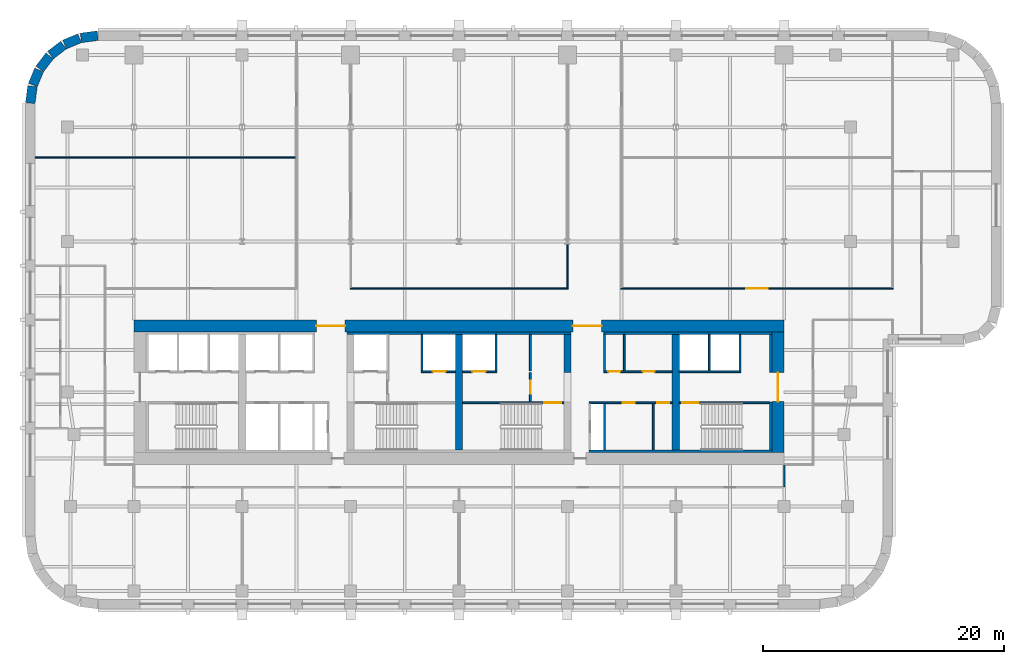
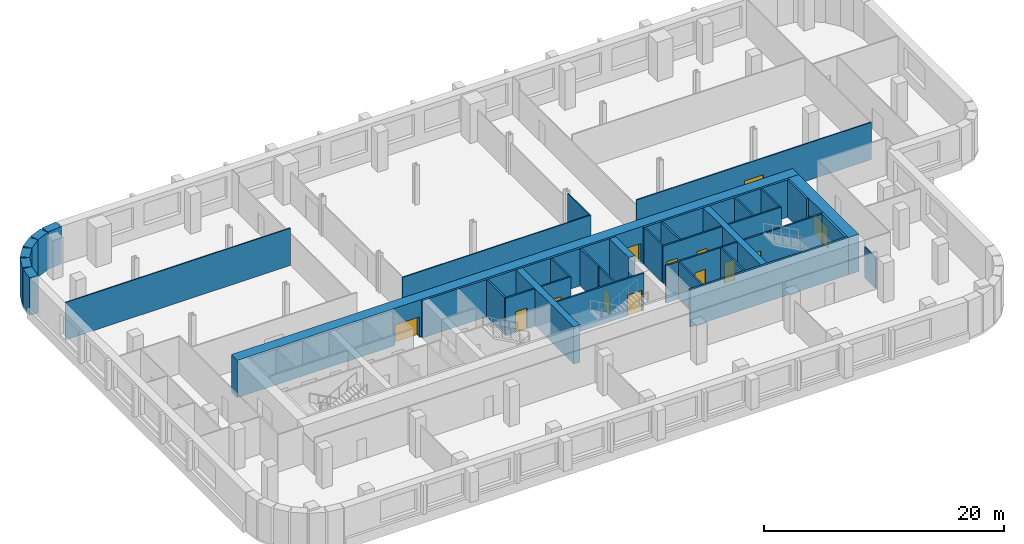
# One storey, part 5 of 9: 38 walls, 13 doors, 13 openings.
"""IFC4 building model written with IfcOpenShell, lengths in metres."""

from ifc_helpers import new_model, si_unit, direction, frame, frame_2d, origin, place, context, subcontext, project, spatial, rectangle, extrude, material, layer, layer_set, type_object, element, fill, save


model = new_model("IFC4")

# Units and contexts
model_context = context("Model", 3, precision=1e-05, world=origin(), true_north=direction((0.0, 1.0)))
body_context = subcontext(model_context, "Body", "Model", "MODEL_VIEW")
ifc_project = project(units=[si_unit("LENGTHUNIT", "METRE"), si_unit("AREAUNIT", "SQUARE_METRE"), si_unit("VOLUMEUNIT", "CUBIC_METRE"), si_unit("PLANEANGLEUNIT", "RADIAN"), si_unit("MASSUNIT", "GRAM", prefix="KILO")], contexts=[model_context])

# Site, building, storey
site_placement = place(None, origin())
site = spatial("IfcSite", under=ifc_project, at=site_placement, CompositionType="ELEMENT")
building_placement = place(site_placement, origin())
building = spatial("IfcBuilding", under=site, at=building_placement, Name="Zellij Exchange Tower", CompositionType="ELEMENT")
storey_placement = place(building_placement, frame((0.0, 0.0, 112.5)))
storey = spatial("IfcBuildingStorey", under=building, at=storey_placement, Name="L24", CompositionType="ELEMENT", Elevation=112.5)

# Walls
ifc_material_1 = material(Name="Concrete C70/85", Category="concrete")
ifc_layer_1 = layer(ifc_material_1, 0.60009765625)
ifc_layer_set_1 = layer_set([ifc_layer_1], Name="Concrete C70/85")
wall_type_1 = type_object("IfcWallType", Name="CORE-CW 600 C70/85", PredefinedType="SHEAR", material=ifc_layer_set_1)
wall_1_placement = place(storey_placement, frame((0.0, -12.800048828125, 0.0), z_axis=(0.0, 0.0, 1.0), x_axis=(0.0, 1.0, 0.0)))
element("IfcWall", 1, at=wall_1_placement, inside=storey, type_object=wall_type_1, Name="Core cross wall x 0 L24", PredefinedType="SHEAR", context=body_context, shape_type="SweptSolid", body=[
    extrude(rectangle(XDim=9.60009765625, YDim=0.60009765625, at=frame_2d((4.800048828125, 0.0))), origin(), (0.0, 0.0, 1.0), 3.800048828125),
])
wall_2_placement = place(storey_placement, frame((9.0, -6.375, 0.0), z_axis=(0.0, 0.0, 1.0), x_axis=(0.0, 1.0, 0.0)))
element("IfcWall", 2, at=wall_2_placement, inside=storey, type_object=wall_type_1, Name="Core cross wall pier x 9 b L24", PredefinedType="SHEAR", context=body_context, shape_type="SweptSolid", body=[
    extrude(rectangle(XDim=3.175048828125, YDim=0.60009765625, at=frame_2d((1.58740234375, 0.0))), origin(), (0.0, 0.0, 1.0), 3.800048828125),
])
wall_3_placement = place(storey_placement, frame((18.0, -12.800048828125, 0.0), z_axis=(0.0, 0.0, 1.0), x_axis=(0.0, 1.0, 0.0)))
element("IfcWall", 3, at=wall_3_placement, inside=storey, type_object=wall_type_1, Name="Core cross wall x 18 L24", PredefinedType="SHEAR", context=body_context, shape_type="SweptSolid", body=[
    extrude(rectangle(XDim=9.60009765625, YDim=0.60009765625, at=frame_2d((4.800048828125, 0.0))), origin(), (0.0, 0.0, 1.0), 3.800048828125),
])
ifc_material_2 = material(Name="Concrete C30/37", Category="concrete")
ifc_layer_2 = layer(ifc_material_2, 0.199951171875)
ifc_layer_set_2 = layer_set([ifc_layer_2], Name="Concrete C30/37")
wall_type_2 = type_object("IfcWallType", Name="CORE-LW 200 C30/37", PredefinedType="SHEAR", material=ifc_layer_set_2)
wall_4_placement = place(storey_placement, frame((-9.300048828125, -3.10009765625, 0.0), z_axis=(0.0, 0.0, 1.0), x_axis=(1.0, 0.0, 0.0)))
element("IfcWall", 4, at=wall_4_placement, inside=storey, type_object=wall_type_2, Name="Core wall lining front.1 L24", PredefinedType="SHEAR", context=body_context, shape_type="SweptSolid", body=[
    extrude(rectangle(XDim=18.60009765625, YDim=0.199951171875, at=frame_2d((9.300048828125, 0.0))), origin(), (0.0, 0.0, 1.0), 3.800048828125),
])
wall_5_placement = place(storey_placement, frame((12.0, -3.10009765625, 0.0), z_axis=(0.0, 0.0, 1.0), x_axis=(1.0, 0.0, 0.0)))
element("IfcWall", 5, at=wall_5_placement, inside=storey, type_object=wall_type_2, Name="Core wall lining front.2 L24", PredefinedType="SHEAR", context=body_context, shape_type="SweptSolid", body=[
    extrude(rectangle(XDim=14.0, YDim=0.199951171875, at=frame_2d((7.0, 0.0))), origin(), (0.0, 0.0, 1.0), 3.800048828125),
])
wall_6_placement = place(storey_placement, frame((10.800048828125, -12.89990234375, 0.0), z_axis=(0.0, 0.0, 1.0), x_axis=(1.0, 0.0, 0.0)))
element("IfcWall", 6, at=wall_6_placement, inside=storey, type_object=wall_type_2, Name="Core wall lining rear.2 L24", PredefinedType="SHEAR", context=body_context, shape_type="SweptSolid", body=[
    extrude(rectangle(XDim=15.199951171875, YDim=0.199951171875, at=frame_2d((7.60009765625, 0.0))), origin(), (0.0, 0.0, 1.0), 3.800048828125),
])
wall_7_placement = place(storey_placement, frame((25.89990234375, -12.800048828125, 0.0), z_axis=(0.0, 0.0, 1.0), x_axis=(0.0, 1.0, 0.0)))
element("IfcWall", 7, at=wall_7_placement, inside=storey, type_object=wall_type_2, Name="Core wall lining end e.0 L24", PredefinedType="SHEAR", context=body_context, shape_type="SweptSolid", body=[
    extrude(rectangle(XDim=4.0, YDim=0.199951171875, at=frame_2d((2.0, 0.0))), origin(), (0.0, 0.0, 1.0), 3.800048828125),
])
wall_8_placement = place(storey_placement, frame((25.89990234375, -6.375, 0.0), z_axis=(0.0, 0.0, 1.0), x_axis=(0.0, 1.0, 0.0)))
element("IfcWall", 8, at=wall_8_placement, inside=storey, type_object=wall_type_2, Name="Core wall lining end e.1 L24", PredefinedType="SHEAR", context=body_context, shape_type="SweptSolid", body=[
    extrude(rectangle(XDim=3.175048828125, YDim=0.199951171875, at=frame_2d((1.58740234375, 0.0))), origin(), (0.0, 0.0, 1.0), 3.800048828125),
])

# Wall, opening, door
ifc_material_3 = material(Name="Gypsum shaft wall system")
ifc_layer_3 = layer(ifc_material_3, 0.14990234375)
ifc_layer_set_3 = layer_set([ifc_layer_3], Name="Gypsum shaft wall system")
wall_type_3 = type_object("IfcWallType", Name="CORE-PW 150 Firefighting lobby wall", PredefinedType="PARTITIONING", material=ifc_layer_set_3)
wall_9_placement = place(storey_placement, frame((5.925048828125, -8.800048828125, 0.0), z_axis=(0.0, 0.0, 1.0), x_axis=(0.0, 1.0, 0.0)))
wall_9 = element("IfcWall", 9, at=wall_9_placement, inside=storey, type_object=wall_type_3, Name="Firefighting lobby wall L24", PredefinedType="PARTITIONING", context=body_context, shape_type="SweptSolid", body=[
    extrude(rectangle(XDim=2.425048828125, YDim=0.14990234375, at=frame_2d((1.21240234375, 0.0))), origin(), (0.0, 0.0, 1.0), 3.800048828125),
])
opening_1_placement = place(wall_9_placement, frame((0.662109375, 0.0, 0.0)))
opening_1 = element("IfcOpeningElement", 10, at=opening_1_placement, cuts=wall_9, Name="Opening CA-14.18", PredefinedType="OPENING", context=body_context, shape_type="SweptSolid", body=[
    extrude(rectangle(XDim=1.10009765625, YDim=2.10009765625, at=frame_2d((0.550048828125, 1.050048828125))), frame((0.0, 0.0869140625, 0.0), z_axis=(0.0, -1.0, 0.0), x_axis=(1.0, 0.0, 0.0)), (0.0, 0.0, 1.0), 0.173828125),
])
ifc_material_4 = material(Name="Hollow metal fire door")
door_type_1 = type_object("IfcDoorType", Name="CORE-D F Firefighting lobby door 1100x2100 1 HR", OperationType="NOTDEFINED", PredefinedType="DOOR", material=ifc_material_4)
door_1_placement = place(opening_1_placement, origin())
door_1 = element("IfcDoor", 11, at=door_1_placement, inside=storey, type_object=door_type_1, Name="Firefighting lobby door CA-14.18", OperationType="SINGLE_SWING_RIGHT", OverallHeight=2.10009765625, OverallWidth=1.10009765625, PredefinedType="DOOR", context=body_context, shape_type="SweptSolid", body=[
    extrude(rectangle(XDim=1.10009765625, YDim=2.10009765625, at=frame_2d((0.550048828125, 1.050048828125))), frame((0.0, 0.02490234375, 0.0), z_axis=(0.0, -1.0, 0.0), x_axis=(1.0, 0.0, 0.0)), (0.0, 0.0, 1.0), 0.050048828125),
])
fill(opening_1, door_1)

# Walls
ifc_material_5 = material(Name="Gypsum board partition")
ifc_layer_4 = layer(ifc_material_5, 0.14990234375)
ifc_layer_set_4 = layer_set([ifc_layer_4], Name="Gypsum board partition")
wall_type_4 = type_object("IfcWallType", Name="CORE-PW 150 Lift lobby wall", PredefinedType="PARTITIONING", material=ifc_layer_set_4)
for number, where, z_axis, x_axis, name in (
    (12, (5.925048828125, -6.22509765625, 0.0), (0.0, 0.0, 1.0), (0.0, 1.0, 0.0), "Lift lobby wall L24"),
    (13, (12.074951171875, -6.22509765625, 0.0), (0.0, 0.0, 1.0), (0.0, 1.0, 0.0), "Lift lobby wall L24"),
    (14, (13.72509765625, -6.22509765625, 0.0), (0.0, 0.0, 1.0), (0.0, 1.0, 0.0), "Lift lobby wall L24"),
):
    element("IfcWall", number, at=place(storey_placement, frame(where, z_axis=z_axis, x_axis=x_axis)), inside=storey, type_object=wall_type_4, Name=name, PredefinedType="PARTITIONING", context=body_context, shape_type="SweptSolid", body=[
        extrude(rectangle(XDim=3.025146484375, YDim=0.14990234375, at=frame_2d((1.5126953125, 0.0))), origin(), (0.0, 0.0, 1.0), 3.800048828125),
    ])
for number, where, z_axis, x_axis, name in (
    (15, (12.074951171875, -12.800048828125, 0.0), (0.0, 0.0, 1.0), (0.0, 1.0, 0.0), "Lift lobby wall L24"),
    (16, (16.125, -12.800048828125, 0.0), (0.0, 0.0, 1.0), (0.0, 1.0, 0.0), "Lift lobby wall L24"),
):
    element("IfcWall", number, at=place(storey_placement, frame(where, z_axis=z_axis, x_axis=x_axis)), inside=storey, type_object=wall_type_4, Name=name, PredefinedType="PARTITIONING", context=body_context, shape_type="SweptSolid", body=[
        extrude(rectangle(XDim=3.85009765625, YDim=0.14990234375, at=frame_2d((1.925048828125, 0.0))), origin(), (0.0, 0.0, 1.0), 3.800048828125),
    ])

# Wall, openings, doors
wall_10_placement = place(storey_placement, frame((12.0, -6.300048828125, 0.0), z_axis=(0.0, 0.0, 1.0), x_axis=(1.0, 0.0, 0.0)))
wall_10 = element("IfcWall", 17, at=wall_10_placement, inside=storey, type_object=wall_type_4, Name="Lift lobby wall L24", PredefinedType="PARTITIONING", context=body_context, shape_type="SweptSolid", body=[
    extrude(rectangle(XDim=5.699951171875, YDim=0.14990234375, at=frame_2d((2.85009765625, 0.0))), origin(), (0.0, 0.0, 1.0), 3.800048828125),
])
opening_2_placement = place(wall_10_placement, frame((0.39990234375, 0.0, 0.0)))
opening_2 = element("IfcOpeningElement", 18, at=opening_2_placement, cuts=wall_10, Name="Opening CA-14.23", PredefinedType="OPENING", context=body_context, shape_type="SweptSolid", body=[
    extrude(rectangle(XDim=1.0, YDim=2.10009765625, at=frame_2d((0.5, 1.050048828125))), frame((0.0, 0.0869140625, 0.0), z_axis=(0.0, -1.0, 0.0), x_axis=(1.0, 0.0, 0.0)), (0.0, 0.0, 1.0), 0.173828125),
])
opening_3_placement = place(wall_10_placement, frame((3.25, 0.0, 0.0)))
opening_3 = element("IfcOpeningElement", 19, at=opening_3_placement, cuts=wall_10, Name="Opening CA-14.25", PredefinedType="OPENING", context=body_context, shape_type="SweptSolid", body=[
    extrude(rectangle(XDim=1.0, YDim=2.10009765625, at=frame_2d((0.5, 1.050048828125))), frame((0.0, 0.0869140625, 0.0), z_axis=(0.0, -1.0, 0.0), x_axis=(1.0, 0.0, 0.0)), (0.0, 0.0, 1.0), 0.173828125),
])
door_type_2 = type_object("IfcDoorType", Name="CORE-D CD Core room door 1000x2100 1 HR", OperationType="NOTDEFINED", PredefinedType="DOOR", material=ifc_material_4)
door_2_placement = place(opening_2_placement, origin())
door_2 = element("IfcDoor", 20, at=door_2_placement, inside=storey, type_object=door_type_2, Name="Core room door CA-14.23", OperationType="SINGLE_SWING_LEFT", OverallHeight=2.10009765625, OverallWidth=1.0, PredefinedType="DOOR", context=body_context, shape_type="SweptSolid", body=[
    extrude(rectangle(XDim=1.0, YDim=2.10009765625, at=frame_2d((0.5, 1.050048828125))), frame((0.0, 0.02490234375, 0.0), z_axis=(0.0, -1.0, 0.0), x_axis=(1.0, 0.0, 0.0)), (0.0, 0.0, 1.0), 0.050048828125),
])
fill(opening_2, door_2)
door_3_placement = place(opening_3_placement, origin())
door_3 = element("IfcDoor", 21, at=door_3_placement, inside=storey, type_object=door_type_2, Name="Core room door CA-14.25", OperationType="SINGLE_SWING_RIGHT", OverallHeight=2.10009765625, OverallWidth=1.0, PredefinedType="DOOR", context=body_context, shape_type="SweptSolid", body=[
    extrude(rectangle(XDim=1.0, YDim=2.10009765625, at=frame_2d((0.5, 1.050048828125))), frame((0.0, 0.02490234375, 0.0), z_axis=(0.0, -1.0, 0.0), x_axis=(1.0, 0.0, 0.0)), (0.0, 0.0, 1.0), 0.050048828125),
])
fill(opening_3, door_3)

wall_11_placement = place(storey_placement, frame((10.800048828125, -8.875, 0.0), z_axis=(0.0, 0.0, 1.0), x_axis=(1.0, 0.0, 0.0)))
wall_11 = element("IfcWall", 22, at=wall_11_placement, inside=storey, type_object=wall_type_4, Name="Lift lobby wall L24", PredefinedType="PARTITIONING", context=body_context, shape_type="SweptSolid", body=[
    extrude(rectangle(XDim=6.89990234375, YDim=0.14990234375, at=frame_2d((3.449951171875, 0.0))), origin(), (0.0, 0.0, 1.0), 3.800048828125),
])
opening_4_placement = place(wall_11_placement, frame((2.800048828125, 0.0, 0.0)))
opening_4 = element("IfcOpeningElement", 23, at=opening_4_placement, cuts=wall_11, Name="Opening CA-14.24", PredefinedType="OPENING", context=body_context, shape_type="SweptSolid", body=[
    extrude(rectangle(XDim=1.0, YDim=2.10009765625, at=frame_2d((0.5, 1.050048828125))), frame((0.0, 0.0869140625, 0.0), z_axis=(0.0, -1.0, 0.0), x_axis=(1.0, 0.0, 0.0)), (0.0, 0.0, 1.0), 0.173828125),
])
opening_5_placement = place(wall_11_placement, frame((5.64990234375, 0.0, 0.0)))
opening_5 = element("IfcOpeningElement", 24, at=opening_5_placement, cuts=wall_11, Name="Opening CA-14.26", PredefinedType="OPENING", context=body_context, shape_type="SweptSolid", body=[
    extrude(rectangle(XDim=1.0, YDim=2.10009765625, at=frame_2d((0.5, 1.050048828125))), frame((0.0, 0.0869140625, 0.0), z_axis=(0.0, -1.0, 0.0), x_axis=(1.0, 0.0, 0.0)), (0.0, 0.0, 1.0), 0.173828125),
])
door_4_placement = place(opening_4_placement, origin())
door_4 = element("IfcDoor", 25, at=door_4_placement, inside=storey, type_object=door_type_2, Name="Core room door CA-14.24", OperationType="SINGLE_SWING_RIGHT", OverallHeight=2.10009765625, OverallWidth=1.0, PredefinedType="DOOR", context=body_context, shape_type="SweptSolid", body=[
    extrude(rectangle(XDim=1.0, YDim=2.10009765625, at=frame_2d((0.5, 1.050048828125))), frame((0.0, 0.02490234375, 0.0), z_axis=(0.0, -1.0, 0.0), x_axis=(1.0, 0.0, 0.0)), (0.0, 0.0, 1.0), 0.050048828125),
])
fill(opening_4, door_4)
door_5_placement = place(opening_5_placement, origin())
door_5 = element("IfcDoor", 26, at=door_5_placement, inside=storey, type_object=door_type_2, Name="Core room door CA-14.26", OperationType="SINGLE_SWING_LEFT", OverallHeight=2.10009765625, OverallWidth=1.0, PredefinedType="DOOR", context=body_context, shape_type="SweptSolid", body=[
    extrude(rectangle(XDim=1.0, YDim=2.10009765625, at=frame_2d((0.5, 1.050048828125))), frame((0.0, 0.02490234375, 0.0), z_axis=(0.0, -1.0, 0.0), x_axis=(1.0, 0.0, 0.0)), (0.0, 0.0, 1.0), 0.050048828125),
])
fill(opening_5, door_5)

# Walls
ifc_layer_5 = layer(ifc_material_3, 0.14990234375)
ifc_layer_set_5 = layer_set([ifc_layer_5], Name="Gypsum shaft wall system")
wall_type_5 = type_object("IfcWallType", Name="CORE-PW 150 Lift shaft wall", PredefinedType="PARTITIONING", material=ifc_layer_set_5)
for number, where, z_axis, x_axis, name in (
    (27, (-3.074951171875, -6.22509765625, 0.0), (0.0, 0.0, 1.0), (0.0, 1.0, 0.0), "Lift shaft wall L24"),
    (28, (3.074951171875, -6.22509765625, 0.0), (0.0, 0.0, 1.0), (0.0, 1.0, 0.0), "Lift shaft wall L24"),
    (29, (20.77490234375, -6.22509765625, 0.0), (0.0, 0.0, 1.0), (0.0, 1.0, 0.0), "Lift shaft wall L24"),
    (30, (23.324951171875, -6.22509765625, 0.0), (0.0, 0.0, 1.0), (0.0, 1.0, 0.0), "Lift shaft wall L24"),
):
    element("IfcWall", number, at=place(storey_placement, frame(where, z_axis=z_axis, x_axis=x_axis)), inside=storey, type_object=wall_type_5, Name=name, PredefinedType="PARTITIONING", context=body_context, shape_type="SweptSolid", body=[
        extrude(rectangle(XDim=3.025146484375, YDim=0.14990234375, at=frame_2d((1.5126953125, 0.0))), origin(), (0.0, 0.0, 1.0), 3.800048828125),
    ])

# Wall, opening, door
wall_12_placement = place(storey_placement, frame((-3.14990234375, -6.300048828125, 0.0), z_axis=(0.0, 0.0, 1.0), x_axis=(1.0, 0.0, 0.0)))
wall_12 = element("IfcWall", 31, at=wall_12_placement, inside=storey, type_object=wall_type_5, Name="Lift shaft wall L24", PredefinedType="PARTITIONING", context=body_context, shape_type="SweptSolid", body=[
    extrude(rectangle(XDim=2.849853515625, YDim=0.14990234375, at=frame_2d((1.4248046875, 0.0))), origin(), (0.0, 0.0, 1.0), 3.800048828125),
])
opening_6_placement = place(wall_12_placement, frame((0.949951171875, 0.0, 0.0)))
opening_6 = element("IfcOpeningElement", 32, at=opening_6_placement, cuts=wall_12, Name="Opening CA-14.16", PredefinedType="OPENING", context=body_context, shape_type="SweptSolid", body=[
    extrude(rectangle(XDim=1.10009765625, YDim=2.10009765625, at=frame_2d((0.550048828125, 1.050048828125))), frame((0.0, 0.0869140625, 0.0), z_axis=(0.0, -1.0, 0.0), x_axis=(1.0, 0.0, 0.0)), (0.0, 0.0, 1.0), 0.173828125),
])
door_type_3 = type_object("IfcDoorType", Name="CORE-D LD Lift landing door 1100x2100 1.5 HR", OperationType="NOTDEFINED", PredefinedType="DOOR", material=ifc_material_4)
door_6_placement = place(opening_6_placement, origin())
door_6 = element("IfcDoor", 33, at=door_6_placement, inside=storey, type_object=door_type_3, Name="Lift landing door CA-14.16", OperationType="SLIDING_TO_RIGHT", OverallHeight=2.10009765625, OverallWidth=1.10009765625, PredefinedType="DOOR", context=body_context, shape_type="SweptSolid", body=[
    extrude(rectangle(XDim=1.10009765625, YDim=2.10009765625, at=frame_2d((0.550048828125, 1.050048828125))), frame((0.0, 0.02490234375, 0.0), z_axis=(0.0, -1.0, 0.0), x_axis=(1.0, 0.0, 0.0)), (0.0, 0.0, 1.0), 0.050048828125),
])
fill(opening_6, door_6)

wall_13_placement = place(storey_placement, frame((0.300048828125, -6.300048828125, 0.0), z_axis=(0.0, 0.0, 1.0), x_axis=(1.0, 0.0, 0.0)))
wall_13 = element("IfcWall", 34, at=wall_13_placement, inside=storey, type_object=wall_type_5, Name="Lift shaft wall L24", PredefinedType="PARTITIONING", context=body_context, shape_type="SweptSolid", body=[
    extrude(rectangle(XDim=2.849853515625, YDim=0.14990234375, at=frame_2d((1.4248046875, 0.0))), origin(), (0.0, 0.0, 1.0), 3.800048828125),
])
opening_7_placement = place(wall_13_placement, frame((0.800048828125, 0.0, 0.0)))
opening_7 = element("IfcOpeningElement", 35, at=opening_7_placement, cuts=wall_13, Name="Opening CA-14.17", PredefinedType="OPENING", context=body_context, shape_type="SweptSolid", body=[
    extrude(rectangle(XDim=1.10009765625, YDim=2.10009765625, at=frame_2d((0.550048828125, 1.050048828125))), frame((0.0, 0.0869140625, 0.0), z_axis=(0.0, -1.0, 0.0), x_axis=(1.0, 0.0, 0.0)), (0.0, 0.0, 1.0), 0.173828125),
])
door_7_placement = place(opening_7_placement, origin())
door_7 = element("IfcDoor", 36, at=door_7_placement, inside=storey, type_object=door_type_3, Name="Lift landing door CA-14.17", OperationType="SLIDING_TO_LEFT", OverallHeight=2.10009765625, OverallWidth=1.10009765625, PredefinedType="DOOR", context=body_context, shape_type="SweptSolid", body=[
    extrude(rectangle(XDim=1.10009765625, YDim=2.10009765625, at=frame_2d((0.550048828125, 1.050048828125))), frame((0.0, 0.02490234375, 0.0), z_axis=(0.0, -1.0, 0.0), x_axis=(1.0, 0.0, 0.0)), (0.0, 0.0, 1.0), 0.050048828125),
])
fill(opening_7, door_7)

# Wall
wall_14_placement = place(storey_placement, frame((18.300048828125, -6.300048828125, 0.0), z_axis=(0.0, 0.0, 1.0), x_axis=(1.0, 0.0, 0.0)))
element("IfcWall", 37, at=wall_14_placement, inside=storey, type_object=wall_type_5, Name="Lift shaft wall L24", PredefinedType="PARTITIONING", context=body_context, shape_type="SweptSolid", body=[
    extrude(rectangle(XDim=5.099853515625, YDim=0.14990234375, at=frame_2d((2.5498046875, 0.0))), origin(), (0.0, 0.0, 1.0), 3.800048828125),
])

# Wall, openings, doors
ifc_layer_6 = layer(ifc_material_1, 1.0)
ifc_layer_set_6 = layer_set([ifc_layer_6], Name="Concrete C70/85")
wall_type_6 = type_object("IfcWallType", Name="CORE-SW 1000 C70/85", PredefinedType="SHEAR", material=ifc_layer_set_6)
wall_15_placement = place(storey_placement, frame((-27.0, -2.5, 0.0), z_axis=(0.0, 0.0, 1.0), x_axis=(1.0, 0.0, 0.0)))
wall_15 = element("IfcWall", 38, at=wall_15_placement, inside=storey, type_object=wall_type_6, Name="Core shear wall front L24", PredefinedType="SHEAR", context=body_context, shape_type="SweptSolid", body=[
    extrude(rectangle(XDim=54.0, YDim=1.0, at=frame_2d((27.0, 0.0))), origin(), (0.0, 0.0, 1.0), 3.800048828125),
])
opening_8_placement = place(wall_15_placement, frame((15.14990234375, 0.0, 0.0)))
opening_8 = element("IfcOpeningElement", 39, at=opening_8_placement, cuts=wall_15, Name="Opening CA-14.11", PredefinedType="OPENING", context=body_context, shape_type="SweptSolid", body=[
    extrude(rectangle(XDim=2.39990234375, YDim=2.10009765625, at=frame_2d((1.199951171875, 1.050048828125))), frame((0.0, 0.511962890625, 0.0), z_axis=(0.0, -1.0, 0.0), x_axis=(1.0, 0.0, 0.0)), (0.0, 0.0, 1.0), 1.02392578125),
])
opening_9_placement = place(wall_15_placement, frame((36.449951171875, 0.0, 0.0)))
opening_9 = element("IfcOpeningElement", 40, at=opening_9_placement, cuts=wall_15, Name="Opening CA-14.21", PredefinedType="OPENING", context=body_context, shape_type="SweptSolid", body=[
    extrude(rectangle(XDim=2.39990234375, YDim=2.10009765625, at=frame_2d((1.199951171875, 1.050048828125))), frame((0.0, 0.511962890625, 0.0), z_axis=(0.0, -1.0, 0.0), x_axis=(1.0, 0.0, 0.0)), (0.0, 0.0, 1.0), 1.02392578125),
])
door_type_4 = type_object("IfcDoorType", Name="CORE-D CE Core entrance door 2400x2100 20 MIN", OperationType="NOTDEFINED", PredefinedType="DOOR", material=ifc_material_4)
door_8_placement = place(opening_8_placement, origin())
door_8 = element("IfcDoor", 41, at=door_8_placement, inside=storey, type_object=door_type_4, Name="Core entrance door CA-14.11", OperationType="DOUBLE_DOOR_SINGLE_SWING", OverallHeight=2.10009765625, OverallWidth=2.39990234375, PredefinedType="DOOR", context=body_context, shape_type="SweptSolid", body=[
    extrude(rectangle(XDim=2.39990234375, YDim=2.10009765625, at=frame_2d((1.199951171875, 1.050048828125))), frame((0.0, 0.02490234375, 0.0), z_axis=(0.0, -1.0, 0.0), x_axis=(1.0, 0.0, 0.0)), (0.0, 0.0, 1.0), 0.050048828125),
])
fill(opening_8, door_8)
door_9_placement = place(opening_9_placement, origin())
door_9 = element("IfcDoor", 42, at=door_9_placement, inside=storey, type_object=door_type_4, Name="Core entrance door CA-14.21", OperationType="DOUBLE_DOOR_SINGLE_SWING", OverallHeight=2.10009765625, OverallWidth=2.39990234375, PredefinedType="DOOR", context=body_context, shape_type="SweptSolid", body=[
    extrude(rectangle(XDim=2.39990234375, YDim=2.10009765625, at=frame_2d((1.199951171875, 1.050048828125))), frame((0.0, 0.02490234375, 0.0), z_axis=(0.0, -1.0, 0.0), x_axis=(1.0, 0.0, 0.0)), (0.0, 0.0, 1.0), 0.050048828125),
])
fill(opening_9, door_9)

# Wall, opening, door
wall_16_placement = place(storey_placement, frame((26.5, -13.0, 0.0), z_axis=(0.0, 0.0, 1.0), x_axis=(0.0, 1.0, 0.0)))
wall_16 = element("IfcWall", 43, at=wall_16_placement, inside=storey, type_object=wall_type_6, Name="Core shear wall end e L24", PredefinedType="SHEAR", context=body_context, shape_type="SweptSolid", body=[
    extrude(rectangle(XDim=10.0, YDim=1.0, at=frame_2d((5.0, 0.0))), origin(), (0.0, 0.0, 1.0), 3.800048828125),
])
opening_10_placement = place(wall_16_placement, frame((4.2119140625, 0.0, 0.0)))
opening_10 = element("IfcOpeningElement", 44, at=opening_10_placement, cuts=wall_16, Name="Opening CA-14.28", PredefinedType="OPENING", context=body_context, shape_type="SweptSolid", body=[
    extrude(rectangle(XDim=2.39990234375, YDim=2.10009765625, at=frame_2d((1.199951171875, 1.050048828125))), frame((0.0, 0.511962890625, 0.0), z_axis=(0.0, -1.0, 0.0), x_axis=(1.0, 0.0, 0.0)), (0.0, 0.0, 1.0), 1.02392578125),
])
door_10_placement = place(opening_10_placement, origin())
door_10 = element("IfcDoor", 45, at=door_10_placement, inside=storey, type_object=door_type_4, Name="Core entrance door CA-14.28", OperationType="DOUBLE_DOOR_SINGLE_SWING", OverallHeight=2.10009765625, OverallWidth=2.39990234375, PredefinedType="DOOR", context=body_context, shape_type="SweptSolid", body=[
    extrude(rectangle(XDim=2.39990234375, YDim=2.10009765625, at=frame_2d((1.199951171875, 1.050048828125))), frame((0.0, 0.02490234375, 0.0), z_axis=(0.0, -1.0, 0.0), x_axis=(1.0, 0.0, 0.0)), (0.0, 0.0, 1.0), 0.050048828125),
])
fill(opening_10, door_10)

ifc_layer_7 = layer(ifc_material_1, 0.14990234375)
ifc_layer_set_7 = layer_set([ifc_layer_7], Name="Concrete C70/85")
wall_type_7 = type_object("IfcWallType", Name="CORE-SWS 150 C70/85", PredefinedType="SHEAR", material=ifc_layer_set_7)
wall_17_placement = place(storey_placement, frame((0.300048828125, -8.875, 0.0), z_axis=(0.0, 0.0, 1.0), x_axis=(1.0, 0.0, 0.0)))
wall_17 = element("IfcWall", 46, at=wall_17_placement, inside=storey, type_object=wall_type_7, Name="Stair enclosure wall L24", PredefinedType="SHEAR", context=body_context, shape_type="SweptSolid", body=[
    extrude(rectangle(XDim=8.39990234375, YDim=0.14990234375, at=frame_2d((4.199951171875, 0.0))), origin(), (0.0, 0.0, 1.0), 3.800048828125),
])
opening_11_placement = place(wall_17_placement, frame((6.77490234375, 0.0, 0.0)))
opening_11 = element("IfcOpeningElement", 47, at=opening_11_placement, cuts=wall_17, Name="Opening CA-14.19", PredefinedType="OPENING", context=body_context, shape_type="SweptSolid", body=[
    extrude(rectangle(XDim=1.39990234375, YDim=2.10009765625, at=frame_2d((0.699951171875, 1.050048828125))), frame((0.0, 0.0869140625, 0.0), z_axis=(0.0, -1.0, 0.0), x_axis=(1.0, 0.0, 0.0)), (0.0, 0.0, 1.0), 0.173828125),
])
door_type_5 = type_object("IfcDoorType", Name="CORE-D SD Stair door 1400x2100 1.5 HR", OperationType="NOTDEFINED", PredefinedType="DOOR", material=ifc_material_4)
door_11_placement = place(opening_11_placement, origin())
door_11 = element("IfcDoor", 48, at=door_11_placement, inside=storey, type_object=door_type_5, Name="Stair door CA-14.19", OperationType="DOUBLE_DOOR_SINGLE_SWING", OverallHeight=2.10009765625, OverallWidth=1.39990234375, PredefinedType="DOOR", context=body_context, shape_type="SweptSolid", body=[
    extrude(rectangle(XDim=1.39990234375, YDim=2.10009765625, at=frame_2d((0.699951171875, 1.050048828125))), frame((0.0, 0.02490234375, 0.0), z_axis=(0.0, -1.0, 0.0), x_axis=(1.0, 0.0, 0.0)), (0.0, 0.0, 1.0), 0.050048828125),
])
fill(opening_11, door_11)

wall_18_placement = place(storey_placement, frame((18.300048828125, -8.875, 0.0), z_axis=(0.0, 0.0, 1.0), x_axis=(1.0, 0.0, 0.0)))
wall_18 = element("IfcWall", 49, at=wall_18_placement, inside=storey, type_object=wall_type_7, Name="Stair enclosure wall L24", PredefinedType="SHEAR", context=body_context, shape_type="SweptSolid", body=[
    extrude(rectangle(XDim=7.5, YDim=0.14990234375, at=frame_2d((3.75, 0.0))), origin(), (0.0, 0.0, 1.0), 3.800048828125),
])
opening_12_placement = place(wall_18_placement, frame((0.22509765625, 0.0, 0.0)))
opening_12 = element("IfcOpeningElement", 50, at=opening_12_placement, cuts=wall_18, Name="Opening CA-14.27", PredefinedType="OPENING", context=body_context, shape_type="SweptSolid", body=[
    extrude(rectangle(XDim=1.39990234375, YDim=2.10009765625, at=frame_2d((0.699951171875, 1.050048828125))), frame((0.0, 0.0869140625, 0.0), z_axis=(0.0, -1.0, 0.0), x_axis=(1.0, 0.0, 0.0)), (0.0, 0.0, 1.0), 0.173828125),
])
door_12_placement = place(opening_12_placement, origin())
door_12 = element("IfcDoor", 51, at=door_12_placement, inside=storey, type_object=door_type_5, Name="Stair door CA-14.27", OperationType="DOUBLE_DOOR_SINGLE_SWING", OverallHeight=2.10009765625, OverallWidth=1.39990234375, PredefinedType="DOOR", context=body_context, shape_type="SweptSolid", body=[
    extrude(rectangle(XDim=1.39990234375, YDim=2.10009765625, at=frame_2d((0.699951171875, 1.050048828125))), frame((0.0, 0.02490234375, 0.0), z_axis=(0.0, -1.0, 0.0), x_axis=(1.0, 0.0, 0.0)), (0.0, 0.0, 1.0), 0.050048828125),
])
fill(opening_12, door_12)

# Walls
ifc_material_6 = material(Name="Precast concrete C40/50", Category="concrete")
ifc_layer_8 = layer(ifc_material_6, 0.800048828125)
ifc_layer_set_8 = layer_set([ifc_layer_8], Name="Precast concrete C40/50")
wall_type_8 = type_object("IfcWallType", Name="ENV-EW1 Precast stone-piered wall 800", PredefinedType="SOLIDWALL", material=ifc_layer_set_8)
wall_19_placement = place(storey_placement, frame((-29.999755859375, 21.5966796875, 0.0), z_axis=(0.0, 0.0, 1.0), x_axis=(-0.99144603414, -0.130517283865, 0.0)))
element("IfcWall", 52, at=wall_19_placement, inside=storey, type_object=wall_type_8, Name="fac.L24.20", PredefinedType="SOLIDWALL", context=body_context, shape_type="SweptSolid", body=[
    extrude(rectangle(XDim=1.408447265625, YDim=0.800048828125, at=frame_2d((0.7041015625, 0.0))), origin(), (0.0, 0.0, 1.0), 3.800048828125),
])
wall_20_placement = place(storey_placement, frame((-31.497314453125, 21.3857421875, 0.0), z_axis=(0.0, 0.0, 1.0), x_axis=(-0.923847774587, -0.38276009378, 0.0)))
element("IfcWall", 53, at=wall_20_placement, inside=storey, type_object=wall_type_8, Name="fac.L24.21", PredefinedType="SOLIDWALL", context=body_context, shape_type="SweptSolid", body=[
    extrude(rectangle(XDim=1.35546875, YDim=0.800048828125, at=frame_2d((0.677734375, 0.0))), origin(), (0.0, 0.0, 1.0), 3.800048828125),
])
for number, where, z_axis, x_axis, name in (
    (54, (-32.840087890625, 20.814697265625, 0.0), (0.0, 0.0, 1.0), (-0.793272915452, -0.608866226366, 0.0), "fac.L24.22"),
    (55, (-33.9892578125, 19.91552734375, 0.0), (0.0, 0.0, 1.0), (-0.608866226366, -0.793272915452, 0.0), "fac.L24.23"),
):
    element("IfcWall", number, at=place(storey_placement, frame(where, z_axis=z_axis, x_axis=x_axis)), inside=storey, type_object=wall_type_8, Name=name, PredefinedType="SOLIDWALL", context=body_context, shape_type="SweptSolid", body=[
        extrude(rectangle(XDim=1.355712890625, YDim=0.800048828125, at=frame_2d((0.677734375, 0.0))), origin(), (0.0, 0.0, 1.0), 3.800048828125),
    ])
wall_21_placement = place(storey_placement, frame((-34.866943359375, 18.74951171875, 0.0), z_axis=(0.0, 0.0, 1.0), x_axis=(-0.38276009378, -0.923847774587, 0.0)))
element("IfcWall", 56, at=wall_21_placement, inside=storey, type_object=wall_type_8, Name="fac.L24.24", PredefinedType="SOLIDWALL", context=body_context, shape_type="SweptSolid", body=[
    extrude(rectangle(XDim=1.35546875, YDim=0.800048828125, at=frame_2d((0.677734375, 0.0))), origin(), (0.0, 0.0, 1.0), 3.800048828125),
])
wall_22_placement = place(storey_placement, frame((-35.412841796875, 17.396240234375, 0.0), z_axis=(0.0, 0.0, 1.0), x_axis=(-0.130517283865, -0.99144603414, 0.0)))
element("IfcWall", 57, at=wall_22_placement, inside=storey, type_object=wall_type_8, Name="fac.L24.25", PredefinedType="SOLIDWALL", context=body_context, shape_type="SweptSolid", body=[
    extrude(rectangle(XDim=1.408447265625, YDim=0.800048828125, at=frame_2d((0.7041015625, 0.0))), origin(), (0.0, 0.0, 1.0), 3.800048828125),
])
ifc_material_7 = material(Name="Gypsum board partition on steel studs", Category="steel")
ifc_layer_9 = layer(ifc_material_7, 0.10009765625)
ifc_layer_set_9 = layer_set([ifc_layer_9], Name="Gypsum board partition on steel studs")
wall_type_9 = type_object("IfcWallType", Name="FIT-PARTITION-100", PredefinedType="PARTITIONING", material=ifc_layer_set_9)
wall_23_placement = place(storey_placement, frame((27.0, -15.85009765625, 0.0), z_axis=(0.0, 0.0, 1.0), x_axis=(0.0, 1.0, 0.0)))
element("IfcWall", 58, at=wall_23_placement, inside=storey, type_object=wall_type_9, Name="FIT-PARTITION-100 009", PredefinedType="PARTITIONING", context=body_context, shape_type="SweptSolid", body=[
    extrude(rectangle(XDim=1.800048828125, YDim=0.10009765625, at=frame_2d((0.89990234375, 0.0))), origin(), (0.0, 0.0, 1.0), 3.18798828125),
])
wall_24_placement = place(storey_placement, frame((-9.050048828125, 0.60009765625, 0.0), z_axis=(0.0, 0.0, 1.0), x_axis=(1.0, 0.0, 0.0)))
element("IfcWall", 59, at=wall_24_placement, inside=storey, type_object=wall_type_9, Name="FIT-PARTITION-100 026", PredefinedType="PARTITIONING", context=body_context, shape_type="SweptSolid", body=[
    extrude(rectangle(XDim=18.10009765625, YDim=0.10009765625, at=frame_2d((9.050048828125, 0.0))), origin(), (0.0, 0.0, 1.0), 3.800048828125),
])
wall_25_placement = place(storey_placement, frame((9.0, 0.64990234375, 0.0), z_axis=(0.0, 0.0, 1.0), x_axis=(0.0, 1.0, 0.0)))
element("IfcWall", 60, at=wall_25_placement, inside=storey, type_object=wall_type_9, Name="FIT-PARTITION-100 030", PredefinedType="PARTITIONING", context=body_context, shape_type="SweptSolid", body=[
    extrude(rectangle(XDim=3.622802734375, YDim=0.10009765625, at=frame_2d((1.8115234375, 0.0))), origin(), (0.0, 0.0, 1.0), 3.800048828125),
])

# Wall, opening, door
wall_26_placement = place(storey_placement, frame((13.449951171875, 0.60009765625, 0.0), z_axis=(0.0, 0.0, 1.0), x_axis=(1.0, 0.0, 0.0)))
wall_26 = element("IfcWall", 61, at=wall_26_placement, inside=storey, type_object=wall_type_9, Name="FIT-PARTITION-100 033", PredefinedType="PARTITIONING", context=body_context, shape_type="SweptSolid", body=[
    extrude(rectangle(XDim=22.60009765625, YDim=0.10009765625, at=frame_2d((11.300048828125, 0.0))), origin(), (0.0, 0.0, 1.0), 3.800048828125),
])
opening_13_placement = place(wall_26_placement, frame((10.39990234375, 0.0, 0.0)))
opening_13 = element("IfcOpeningElement", 62, at=opening_13_placement, cuts=wall_26, Name="Opening TE.11", PredefinedType="OPENING", context=body_context, shape_type="SweptSolid", body=[
    extrude(rectangle(XDim=1.800048828125, YDim=2.10009765625, at=frame_2d((0.89990234375, 1.050048828125))), frame((0.0, 0.06201171875, 0.0), z_axis=(0.0, -1.0, 0.0), x_axis=(1.0, 0.0, 0.0)), (0.0, 0.0, 1.0), 0.1240234375),
])
ifc_material_8 = material(Name="Timber door set", Category="wood")
door_type_6 = type_object("IfcDoorType", Name="FIT-D3-DOUBLE-1800X2100", OperationType="DOUBLE_DOOR_SINGLE_SWING", PredefinedType="DOOR", material=ifc_material_8)
door_13_placement = place(opening_13_placement, origin())
door_13 = element("IfcDoor", 63, at=door_13_placement, inside=storey, type_object=door_type_6, Name="Door TE.11", OperationType="DOUBLE_DOOR_SINGLE_SWING", OverallHeight=2.10009765625, OverallWidth=1.800048828125, PredefinedType="DOOR", context=body_context, shape_type="SweptSolid", body=[
    extrude(rectangle(XDim=1.800048828125, YDim=2.10009765625, at=frame_2d((0.89990234375, 1.050048828125))), frame((0.0, 0.02490234375, 0.0), z_axis=(0.0, -1.0, 0.0), x_axis=(1.0, 0.0, 0.0)), (0.0, 0.0, 1.0), 0.050048828125),
])
fill(opening_13, door_13)

# Wall
wall_27_placement = place(storey_placement, frame((-35.199951171875, 11.47998046875, 0.0), z_axis=(0.0, 0.0, 1.0), x_axis=(1.0, 0.0, 0.0)))
element("IfcWall", 64, at=wall_27_placement, inside=storey, type_object=wall_type_9, Name="FIT-PARTITION-100 039", PredefinedType="PARTITIONING", context=body_context, shape_type="SweptSolid", body=[
    extrude(rectangle(XDim=21.64990234375, YDim=0.10009765625, at=frame_2d((10.824951171875, 0.0))), origin(), (0.0, 0.0, 1.0), 3.800048828125),
])

save(model, "model.ifc")
